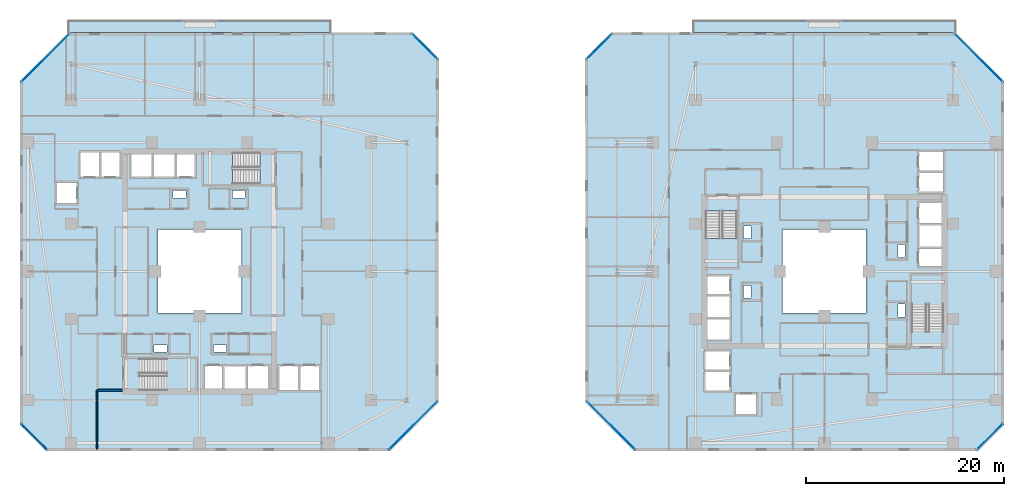
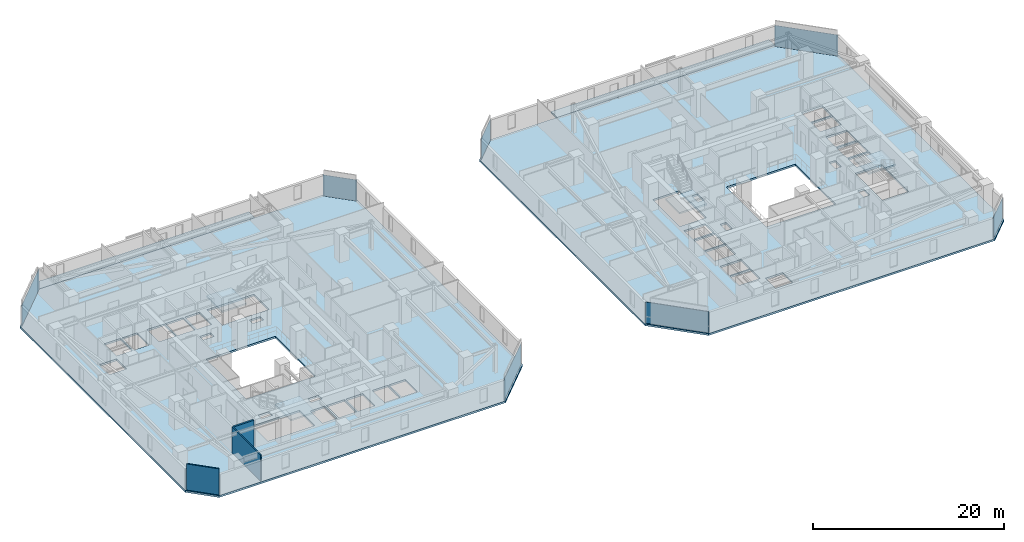
# One storey, part 15 of 31: 8 plates, 8 slabs, 3 walls, 12 elements without a shape of their own.
"""IFC4 building model written with IfcOpenShell, lengths in metres."""

from ifc_helpers import new_model, si_unit, direction, frame, frame_2d, origin, origin_2d, place, context, subcontext, project, spatial, polyline, rectangle, outline, extrude, material, layer, layer_set, type_object, element, aggregate, save


model = new_model("IFC4")

# Units and contexts
model_context = context("Model", 3, precision=1e-05, world=origin(), true_north=direction((0.0, 1.0)))
body_context = subcontext(model_context, "Body", "Model", "MODEL_VIEW")
ifc_project = project(units=[si_unit("LENGTHUNIT", "METRE"), si_unit("AREAUNIT", "SQUARE_METRE"), si_unit("VOLUMEUNIT", "CUBIC_METRE"), si_unit("PLANEANGLEUNIT", "RADIAN"), si_unit("MASSUNIT", "GRAM", prefix="KILO")], contexts=[model_context])

# Site, building, storey
site_placement = place(None, origin())
site = spatial("IfcSite", under=ifc_project, at=site_placement, CompositionType="ELEMENT")
building_placement = place(site_placement, origin())
building = spatial("IfcBuilding", under=site, at=building_placement, Name="Thornwick Lancets Civic Towers", CompositionType="ELEMENT")
storey_placement = place(building_placement, frame((0.0, 0.0, 90.89990234375)))
storey = spatial("IfcBuildingStorey", under=building, at=storey_placement, Name="L23", CompositionType="ELEMENT", Elevation=90.89990234375)

# Curtain wall, plate
ifc_material_1 = material(Name="Low-zone chamfered-corner unitised glass curtain wall", Category="glass")
curtain_wall_type = type_object("IfcCurtainWallType", Name="CW_SYS_03", PredefinedType="NOTDEFINED", material=ifc_material_1)
curtain_wall_1_placement = place(storey_placement, origin())
curtain_wall_1 = element("IfcCurtainWall", 1, at=curtain_wall_1_placement, inside=storey, type_object=curtain_wall_type, Name="L23 Curtain Wall CW-L23-A-E1", PredefinedType="NOTDEFINED")
ifc_material_2 = material(Name="Low-e double glazing clear glass", Category="glass")
ifc_layer_1 = layer(ifc_material_2, 0.035888671875, Name="Low-e double glazing clear glass")
ifc_layer_set_1 = layer_set([ifc_layer_1], Name="Low-e double glazing clear glass")
plate_type = type_object("IfcPlateType", Name="CW_PNL_GLASS", PredefinedType="CURTAIN_PANEL", material=ifc_layer_set_1)
plate_1_placement = place(storey_placement, frame((47.0283203125, 11.4716796875, 0.0), z_axis=(0.0, 0.0, 1.0), x_axis=(0.707106781187, 0.707106781187, 0.0)))
plate_1 = element("IfcPlate", 2, at=plate_1_placement, type_object=plate_type, Name="CW-L23-A-E1 Panel 0", PredefinedType="CURTAIN_PANEL", context=body_context, shape_type="SweptSolid", body=[
    extrude(rectangle(XDim=6.8662109375, YDim=0.035888671875, at=origin_2d()), origin(), (0.0, 0.0, 1.0), 2.699951171875),
])
aggregate(curtain_wall_1, [plate_1])

curtain_wall_2_placement = place(storey_placement, origin())
curtain_wall_2 = element("IfcCurtainWall", 3, at=curtain_wall_2_placement, inside=storey, type_object=curtain_wall_type, Name="L23 Curtain Wall CW-L23-A-E3", PredefinedType="NOTDEFINED")
plate_2_placement = place(storey_placement, frame((48.173095703125, 49.673095703125, 0.0), z_axis=(0.0, 0.0, 1.0), x_axis=(-0.707106781187, 0.707106781187, 0.0)))
plate_2 = element("IfcPlate", 4, at=plate_2_placement, type_object=plate_type, Name="CW-L23-A-E3 Panel 0", PredefinedType="CURTAIN_PANEL", context=body_context, shape_type="SweptSolid", body=[
    extrude(rectangle(XDim=3.6494140625, YDim=0.035888671875, at=origin_2d()), origin(), (0.0, 0.0, 1.0), 2.699951171875),
])
aggregate(curtain_wall_2, [plate_2])

curtain_wall_3_placement = place(storey_placement, origin())
curtain_wall_3 = element("IfcCurtainWall", 5, at=curtain_wall_3_placement, inside=storey, type_object=curtain_wall_type, Name="L23 Curtain Wall CW-L23-A-E5", PredefinedType="NOTDEFINED")
plate_3_placement = place(storey_placement, frame((9.9716796875, 48.5283203125, 0.0), z_axis=(0.0, 0.0, 1.0), x_axis=(-0.707106781187, -0.707106781187, 0.0)))
plate_3 = element("IfcPlate", 6, at=plate_3_placement, type_object=plate_type, Name="CW-L23-A-E5 Panel 0", PredefinedType="CURTAIN_PANEL", context=body_context, shape_type="SweptSolid", body=[
    extrude(rectangle(XDim=6.8662109375, YDim=0.035888671875, at=origin_2d()), origin(), (0.0, 0.0, 1.0), 2.699951171875),
])
aggregate(curtain_wall_3, [plate_3])

curtain_wall_4_placement = place(storey_placement, origin())
curtain_wall_4 = element("IfcCurtainWall", 7, at=curtain_wall_4_placement, inside=storey, type_object=curtain_wall_type, Name="L23 Curtain Wall CW-L23-A-E7", PredefinedType="NOTDEFINED")
plate_4_placement = place(storey_placement, frame((8.826904296875, 10.326904296875, 0.0), z_axis=(0.0, 0.0, 1.0), x_axis=(0.707106781187, -0.707106781187, 0.0)))
plate_4 = element("IfcPlate", 8, at=plate_4_placement, type_object=plate_type, Name="CW-L23-A-E7 Panel 0", PredefinedType="CURTAIN_PANEL", context=body_context, shape_type="SweptSolid", body=[
    extrude(rectangle(XDim=3.6494140625, YDim=0.035888671875, at=origin_2d()), origin(), (0.0, 0.0, 1.0), 2.699951171875),
])
aggregate(curtain_wall_4, [plate_4])

curtain_wall_5_placement = place(storey_placement, origin())
curtain_wall_5 = element("IfcCurtainWall", 9, at=curtain_wall_5_placement, inside=storey, type_object=curtain_wall_type, Name="L23 Curtain Wall CW-L23-B-E1", PredefinedType="NOTDEFINED")
plate_5_placement = place(storey_placement, frame((105.173095703125, 10.326904296875, 0.0), z_axis=(0.0, 0.0, 1.0), x_axis=(0.707106781187, 0.707106781187, 0.0)))
plate_5 = element("IfcPlate", 10, at=plate_5_placement, type_object=plate_type, Name="CW-L23-B-E1 Panel 0", PredefinedType="CURTAIN_PANEL", context=body_context, shape_type="SweptSolid", body=[
    extrude(rectangle(XDim=3.6494140625, YDim=0.035888671875, at=origin_2d()), origin(), (0.0, 0.0, 1.0), 2.699951171875),
])
aggregate(curtain_wall_5, [plate_5])

curtain_wall_6_placement = place(storey_placement, origin())
curtain_wall_6 = element("IfcCurtainWall", 11, at=curtain_wall_6_placement, inside=storey, type_object=curtain_wall_type, Name="L23 Curtain Wall CW-L23-B-E3", PredefinedType="NOTDEFINED")
plate_6_placement = place(storey_placement, frame((104.0283203125, 48.5283203125, 0.0), z_axis=(0.0, 0.0, 1.0), x_axis=(-0.707106781187, 0.707106781187, 0.0)))
plate_6 = element("IfcPlate", 12, at=plate_6_placement, type_object=plate_type, Name="CW-L23-B-E3 Panel 0", PredefinedType="CURTAIN_PANEL", context=body_context, shape_type="SweptSolid", body=[
    extrude(rectangle(XDim=6.8662109375, YDim=0.035888671875, at=origin_2d()), origin(), (0.0, 0.0, 1.0), 2.699951171875),
])
aggregate(curtain_wall_6, [plate_6])

curtain_wall_7_placement = place(storey_placement, origin())
curtain_wall_7 = element("IfcCurtainWall", 13, at=curtain_wall_7_placement, inside=storey, type_object=curtain_wall_type, Name="L23 Curtain Wall CW-L23-B-E5", PredefinedType="NOTDEFINED")
plate_7_placement = place(storey_placement, frame((65.826904296875, 49.673095703125, 0.0), z_axis=(0.0, 0.0, 1.0), x_axis=(-0.707106781187, -0.707106781187, 0.0)))
plate_7 = element("IfcPlate", 14, at=plate_7_placement, type_object=plate_type, Name="CW-L23-B-E5 Panel 0", PredefinedType="CURTAIN_PANEL", context=body_context, shape_type="SweptSolid", body=[
    extrude(rectangle(XDim=3.6494140625, YDim=0.035888671875, at=origin_2d()), origin(), (0.0, 0.0, 1.0), 2.699951171875),
])
aggregate(curtain_wall_7, [plate_7])

curtain_wall_8_placement = place(storey_placement, origin())
curtain_wall_8 = element("IfcCurtainWall", 15, at=curtain_wall_8_placement, inside=storey, type_object=curtain_wall_type, Name="L23 Curtain Wall CW-L23-B-E7", PredefinedType="NOTDEFINED")
plate_8_placement = place(storey_placement, frame((66.9716796875, 11.4716796875, 0.0), z_axis=(0.0, 0.0, 1.0), x_axis=(0.707106781187, -0.707106781187, 0.0)))
plate_8 = element("IfcPlate", 16, at=plate_8_placement, type_object=plate_type, Name="CW-L23-B-E7 Panel 0", PredefinedType="CURTAIN_PANEL", context=body_context, shape_type="SweptSolid", body=[
    extrude(rectangle(XDim=6.8662109375, YDim=0.035888671875, at=origin_2d()), origin(), (0.0, 0.0, 1.0), 2.699951171875),
])
aggregate(curtain_wall_8, [plate_8])

# Slabs
ifc_material_3 = material(Name="Post-tensioned concrete C40/50", Category="concrete")
ifc_layer_2 = layer(ifc_material_3, 0.199951171875, Name="Post-tensioned concrete C40/50")
ifc_layer_set_2 = layer_set([ifc_layer_2], Name="Post-tensioned concrete C40/50")
slab_type_1 = type_object("IfcSlabType", Name="SLAB_BALCONY_200", PredefinedType="FLOOR", material=ifc_layer_set_2)
slab_1_placement = place(storey_placement, frame((0.0, 0.0, -0.199951171875)))
element("IfcSlab", 17, at=slab_1_placement, inside=storey, type_object=slab_type_1, Name="L23 Tower A Planted Balcony Slab N", PredefinedType="FLOOR", context=body_context, shape_type="SweptSolid", body=[
    extrude(outline(polyline([(12.300048828125, 51.10009765625), (38.699951171875, 51.10009765625), (38.699951171875, 52.35009765625), (12.300048828125, 52.35009765625), (12.300048828125, 51.10009765625)])), origin(), (0.0, 0.0, 1.0), 0.199951171875),
])
slab_2_placement = place(storey_placement, frame((0.0, 0.0, -0.199951171875)))
element("IfcSlab", 18, at=slab_2_placement, inside=storey, type_object=slab_type_1, Name="L23 Tower B Planted Balcony Slab N", PredefinedType="FLOOR", context=body_context, shape_type="SweptSolid", body=[
    extrude(outline(polyline([(75.300048828125, 51.10009765625), (101.699951171875, 51.10009765625), (101.699951171875, 52.35009765625), (75.300048828125, 52.35009765625), (75.300048828125, 51.10009765625)])), origin(), (0.0, 0.0, 1.0), 0.199951171875),
])

# Stair, slab
ifc_material_4 = material(Name="Concrete C40/50", Category="concrete")
stair_type = type_object("IfcStairType", Name="STAIR_DL_3600", PredefinedType="HALF_TURN_STAIR", material=ifc_material_4)
stair_1_placement = place(storey_placement, origin())
stair_1 = element("IfcStair", 19, at=stair_1_placement, inside=storey, type_object=stair_type, Name="L23 Tower A South Exit Stair ST-A1", PredefinedType="HALF_TURN_STAIR")
ifc_layer_3 = layer(ifc_material_4, 0.25, Name="Concrete C40/50")
ifc_layer_set_3 = layer_set([ifc_layer_3], Name="Concrete C40/50")
slab_type_2 = type_object("IfcSlabType", Name="SLAB_LANDING_200", PredefinedType="LANDING", material=ifc_layer_set_3)
slab_3_placement = place(storey_placement, frame((0.0, 0.0, 1.60302734375)))
slab_3 = element("IfcSlab", 20, at=slab_3_placement, type_object=slab_type_2, Name="ST-A1 landing 1", PredefinedType="LANDING", context=body_context, shape_type="SweptSolid", body=[
    extrude(outline(polyline([(22.169921875, 14.93994140625), (25.14990234375, 14.93994140625), (25.14990234375, 18.260009765625), (22.169921875, 18.260009765625), (22.169921875, 14.93994140625)])), origin(), (0.0, 0.0, 1.0), 0.199951171875),
])
aggregate(stair_1, [slab_3])

stair_2_placement = place(storey_placement, origin())
stair_2 = element("IfcStair", 21, at=stair_2_placement, inside=storey, type_object=stair_type, Name="L23 Tower A North Exit Stair ST-A2", PredefinedType="HALF_TURN_STAIR")
slab_4_placement = place(storey_placement, frame((0.0, 0.0, 1.60302734375)))
slab_4 = element("IfcSlab", 22, at=slab_4_placement, type_object=slab_type_2, Name="ST-A2 landing 1", PredefinedType="LANDING", context=body_context, shape_type="SweptSolid", body=[
    extrude(outline(polyline([(28.830078125, 39.06005859375), (25.85009765625, 39.06005859375), (25.85009765625, 35.739990234375), (28.830078125, 35.739990234375), (28.830078125, 39.06005859375)])), origin(), (0.0, 0.0, 1.0), 0.199951171875),
])
aggregate(stair_2, [slab_4])

stair_3_placement = place(storey_placement, origin())
stair_3 = element("IfcStair", 23, at=stair_3_placement, inside=storey, type_object=stair_type, Name="L23 Tower B East Exit Stair ST-B1", PredefinedType="HALF_TURN_STAIR")
slab_5_placement = place(storey_placement, frame((0.0, 0.0, 1.60302734375)))
slab_5 = element("IfcSlab", 24, at=slab_5_placement, type_object=slab_type_2, Name="ST-B1 landing 1", PredefinedType="LANDING", context=body_context, shape_type="SweptSolid", body=[
    extrude(outline(polyline([(100.56005859375, 23.669921875), (100.56005859375, 26.64990234375), (97.239990234375, 26.64990234375), (97.239990234375, 23.669921875), (100.56005859375, 23.669921875)])), origin(), (0.0, 0.0, 1.0), 0.199951171875),
])
aggregate(stair_3, [slab_5])

stair_4_placement = place(storey_placement, origin())
stair_4 = element("IfcStair", 25, at=stair_4_placement, inside=storey, type_object=stair_type, Name="L23 Tower B West Exit Stair ST-B2", PredefinedType="HALF_TURN_STAIR")
slab_6_placement = place(storey_placement, frame((0.0, 0.0, 1.60302734375)))
slab_6 = element("IfcSlab", 26, at=slab_6_placement, type_object=slab_type_2, Name="ST-B2 landing 1", PredefinedType="LANDING", context=body_context, shape_type="SweptSolid", body=[
    extrude(outline(polyline([(76.43994140625, 30.330078125), (76.43994140625, 27.35009765625), (79.760009765625, 27.35009765625), (79.760009765625, 30.330078125), (76.43994140625, 30.330078125)])), origin(), (0.0, 0.0, 1.0), 0.199951171875),
])
aggregate(stair_4, [slab_6])

# Slabs
ifc_layer_4 = layer(ifc_material_3, 0.239990234375, Name="Post-tensioned concrete C40/50")
ifc_layer_set_4 = layer_set([ifc_layer_4], Name="Post-tensioned concrete C40/50")
slab_type_3 = type_object("IfcSlabType", Name="SLAB_PT_240", PredefinedType="FLOOR", material=ifc_layer_set_4)
slab_7_placement = place(storey_placement, frame((0.0, 0.0, -0.239990234375)))
element("IfcSlab", 27, at=slab_7_placement, inside=storey, type_object=slab_type_3, Name="L23 Tower A Floor Slab", PredefinedType="FLOOR", context=body_context, shape_type="SweptSolid", body=[
    extrude(outline(polyline([(10.0, 8.89990234375), (44.708984375, 8.89990234375), (49.60009765625, 13.791015625), (49.60009765625, 48.5), (47.0, 51.10009765625), (12.291015625, 51.10009765625), (7.39990234375, 46.208984375), (7.39990234375, 11.5), (10.0, 8.89990234375)]), holes=[polyline([(21.300048828125, 22.800048828125), (29.699951171875, 22.800048828125), (29.699951171875, 31.199951171875), (21.300048828125, 31.199951171875), (21.300048828125, 22.800048828125)]), polyline([(19.429931640625, 15.0), (25.10009765625, 15.0), (25.10009765625, 18.199951171875), (19.429931640625, 18.199951171875), (19.429931640625, 15.0)]), polyline([(31.570068359375, 39.0), (25.89990234375, 39.0), (25.89990234375, 35.800048828125), (31.570068359375, 35.800048828125), (31.570068359375, 39.0)]), polyline([(26.0, 15.0), (27.800048828125, 15.0), (27.800048828125, 17.550048828125), (26.0, 17.550048828125), (26.0, 15.0)]), polyline([(28.0, 15.0), (30.14990234375, 15.0), (30.14990234375, 17.550048828125), (28.0, 17.550048828125), (28.0, 15.0)]), polyline([(30.35009765625, 15.0), (32.39990234375, 15.0), (32.39990234375, 17.550048828125), (30.35009765625, 17.550048828125), (30.35009765625, 15.0)]), polyline([(33.550048828125, 15.0), (35.449951171875, 15.0), (35.449951171875, 17.550048828125), (33.550048828125, 17.550048828125), (33.550048828125, 15.0)]), polyline([(35.60009765625, 15.0), (37.550048828125, 15.0), (37.550048828125, 17.550048828125), (35.60009765625, 17.550048828125), (35.60009765625, 15.0)]), polyline([(23.199951171875, 36.449951171875), (25.0, 36.449951171875), (25.0, 39.0), (23.199951171875, 39.0), (23.199951171875, 36.449951171875)]), polyline([(20.85009765625, 36.449951171875), (23.0, 36.449951171875), (23.0, 39.0), (20.85009765625, 39.0), (20.85009765625, 36.449951171875)]), polyline([(18.60009765625, 36.449951171875), (20.699951171875, 36.449951171875), (20.699951171875, 39.0), (18.60009765625, 39.0), (18.60009765625, 36.449951171875)]), polyline([(15.550048828125, 36.449951171875), (17.449951171875, 36.449951171875), (17.449951171875, 39.0), (15.550048828125, 39.0), (15.550048828125, 36.449951171875)]), polyline([(13.449951171875, 36.449951171875), (15.39990234375, 36.449951171875), (15.39990234375, 39.0), (13.449951171875, 39.0), (13.449951171875, 36.449951171875)]), polyline([(11.10009765625, 33.85009765625), (13.199951171875, 33.85009765625), (13.199951171875, 35.949951171875), (11.10009765625, 35.949951171875), (11.10009765625, 33.85009765625)]), polyline([(26.89990234375, 18.85009765625), (28.199951171875, 18.85009765625), (28.199951171875, 19.580078125), (26.89990234375, 19.580078125), (26.89990234375, 18.85009765625)]), polyline([(20.89990234375, 18.85009765625), (22.199951171875, 18.85009765625), (22.199951171875, 19.580078125), (20.89990234375, 19.580078125), (20.89990234375, 18.85009765625)]), polyline([(22.800048828125, 34.419921875), (24.10009765625, 34.419921875), (24.10009765625, 35.14990234375), (22.800048828125, 35.14990234375), (22.800048828125, 34.419921875)]), polyline([(28.800048828125, 34.419921875), (30.10009765625, 34.419921875), (30.10009765625, 35.14990234375), (28.800048828125, 35.14990234375), (28.800048828125, 34.419921875)])]), origin(), (0.0, 0.0, 1.0), 0.239990234375),
])
slab_8_placement = place(storey_placement, frame((0.0, 0.0, -0.239990234375)))
element("IfcSlab", 28, at=slab_8_placement, inside=storey, type_object=slab_type_3, Name="L23 Tower B Floor Slab", PredefinedType="FLOOR", context=body_context, shape_type="SweptSolid", body=[
    extrude(outline(polyline([(69.291015625, 8.89990234375), (104.0, 8.89990234375), (106.60009765625, 11.5), (106.60009765625, 46.208984375), (101.708984375, 51.10009765625), (67.0, 51.10009765625), (64.39990234375, 48.5), (64.39990234375, 13.791015625), (69.291015625, 8.89990234375)]), holes=[polyline([(84.300048828125, 22.800048828125), (92.699951171875, 22.800048828125), (92.699951171875, 31.199951171875), (84.300048828125, 31.199951171875), (84.300048828125, 22.800048828125)]), polyline([(100.5, 20.929931640625), (100.5, 26.60009765625), (97.300048828125, 26.60009765625), (97.300048828125, 20.929931640625), (100.5, 20.929931640625)]), polyline([(76.5, 33.070068359375), (76.5, 27.39990234375), (79.699951171875, 27.39990234375), (79.699951171875, 33.070068359375), (76.5, 33.070068359375)]), polyline([(97.949951171875, 27.5), (100.5, 27.5), (100.5, 29.300048828125), (97.949951171875, 29.300048828125), (97.949951171875, 27.5)]), polyline([(97.949951171875, 29.5), (100.5, 29.5), (100.5, 31.64990234375), (97.949951171875, 31.64990234375), (97.949951171875, 29.5)]), polyline([(97.949951171875, 31.85009765625), (100.5, 31.85009765625), (100.5, 33.89990234375), (97.949951171875, 33.89990234375), (97.949951171875, 31.85009765625)]), polyline([(97.949951171875, 35.050048828125), (100.5, 35.050048828125), (100.5, 36.949951171875), (97.949951171875, 36.949951171875), (97.949951171875, 35.050048828125)]), polyline([(97.949951171875, 37.10009765625), (100.5, 37.10009765625), (100.5, 39.050048828125), (97.949951171875, 39.050048828125), (97.949951171875, 37.10009765625)]), polyline([(76.5, 24.699951171875), (79.050048828125, 24.699951171875), (79.050048828125, 26.5), (76.5, 26.5), (76.5, 24.699951171875)]), polyline([(76.5, 22.35009765625), (79.050048828125, 22.35009765625), (79.050048828125, 24.5), (76.5, 24.5), (76.5, 22.35009765625)]), polyline([(76.5, 20.10009765625), (79.050048828125, 20.10009765625), (79.050048828125, 22.199951171875), (76.5, 22.199951171875), (76.5, 20.10009765625)]), polyline([(76.5, 17.050048828125), (79.050048828125, 17.050048828125), (79.050048828125, 18.949951171875), (76.5, 18.949951171875), (76.5, 17.050048828125)]), polyline([(76.5, 14.949951171875), (79.050048828125, 14.949951171875), (79.050048828125, 16.89990234375), (76.5, 16.89990234375), (76.5, 14.949951171875)]), polyline([(79.550048828125, 12.60009765625), (81.64990234375, 12.60009765625), (81.64990234375, 14.699951171875), (79.550048828125, 14.699951171875), (79.550048828125, 12.60009765625)]), polyline([(95.919921875, 28.39990234375), (96.64990234375, 28.39990234375), (96.64990234375, 29.699951171875), (95.919921875, 29.699951171875), (95.919921875, 28.39990234375)]), polyline([(95.919921875, 22.39990234375), (96.64990234375, 22.39990234375), (96.64990234375, 23.699951171875), (95.919921875, 23.699951171875), (95.919921875, 22.39990234375)]), polyline([(80.35009765625, 24.300048828125), (81.080078125, 24.300048828125), (81.080078125, 25.60009765625), (80.35009765625, 25.60009765625), (80.35009765625, 24.300048828125)]), polyline([(80.35009765625, 30.300048828125), (81.080078125, 30.300048828125), (81.080078125, 31.60009765625), (80.35009765625, 31.60009765625), (80.35009765625, 30.300048828125)])]), origin(), (0.0, 0.0, 1.0), 0.239990234375),
])

# Walls
ifc_material_5 = material(Name="Concrete blockwork C40/50", Category="masonry")
ifc_layer_5 = layer(ifc_material_5, 0.199951171875, Name="Concrete blockwork C40/50")
ifc_layer_set_5 = layer_set([ifc_layer_5], Name="Concrete blockwork C40/50")
wall_type_1 = type_object("IfcWallType", Name="WALL_COMP_200", PredefinedType="STANDARD", material=ifc_layer_set_5)
wall_1_placement = place(storey_placement, frame((15.199951171875, 15.0, 0.0), z_axis=(0.0, 0.0, 1.0), x_axis=(1.0, 0.0, 0.0)))
element("IfcWall", 29, at=wall_1_placement, inside=storey, type_object=wall_type_1, Name="L23 Partition L23-A-FFLOB1 E1", PredefinedType="STANDARD", context=body_context, shape_type="SweptSolid", body=[
    extrude(rectangle(XDim=2.5, YDim=0.199951171875, at=frame_2d((1.25, 0.0))), origin(), (0.0, 0.0, 1.0), 3.340087890625),
])
ifc_material_6 = material(Name="Acoustic gypsum board partition")
ifc_layer_6 = layer(ifc_material_6, 0.1201171875, Name="Acoustic gypsum board partition")
ifc_layer_set_6 = layer_set([ifc_layer_6], Name="Acoustic gypsum board partition")
wall_type_2 = type_object("IfcWallType", Name="WALL_PART_120", PredefinedType="PARTITIONING", material=ifc_layer_set_6)
wall_2_placement = place(storey_placement, frame((15.14990234375, 15.0, 0.0), z_axis=(0.0, 0.0, 1.0), x_axis=(0.0, -1.0, 0.0)))
element("IfcWall", 30, at=wall_2_placement, inside=storey, type_object=wall_type_2, Name="L23 Partition L23-A-W1 E13", PredefinedType="PARTITIONING", context=body_context, shape_type="SweptSolid", body=[
    extrude(rectangle(XDim=5.919921875, YDim=0.1201171875, at=frame_2d((2.9599609375, 0.0))), origin(), (0.0, 0.0, 1.0), 3.340087890625),
])
wall_3_placement = place(storey_placement, frame((10.07470703125, 9.080078125, 0.0), z_axis=(0.0, 0.0, 1.0), x_axis=(-0.707106781187, 0.707106781187, 0.0)))
element("IfcWall", 31, at=wall_3_placement, inside=storey, type_object=wall_type_2, Name="L23 Partition L23-A-W1 E15", PredefinedType="PARTITIONING", context=body_context, shape_type="SweptSolid", body=[
    extrude(rectangle(XDim=3.52783203125, YDim=0.1201171875, at=frame_2d((1.763916015625, 0.0))), origin(), (0.0, 0.0, 1.0), 3.340087890625),
])

save(model, "model.ifc")
